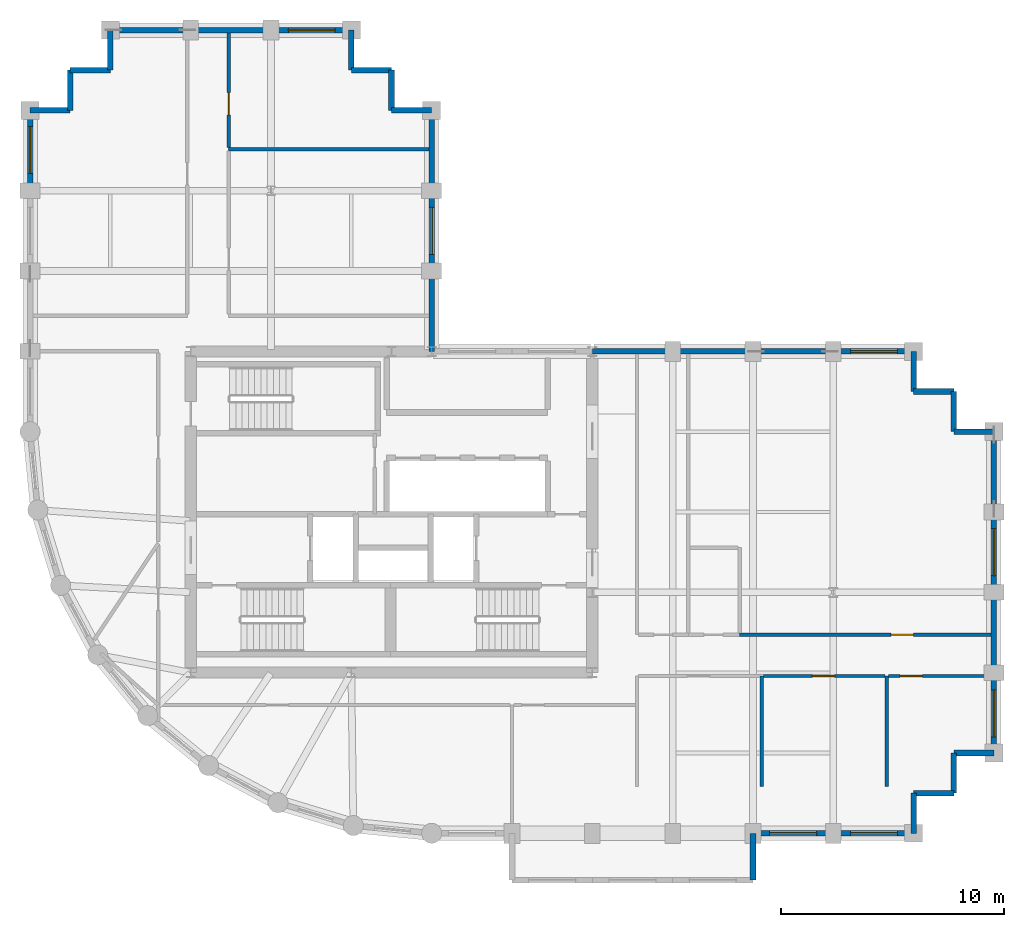
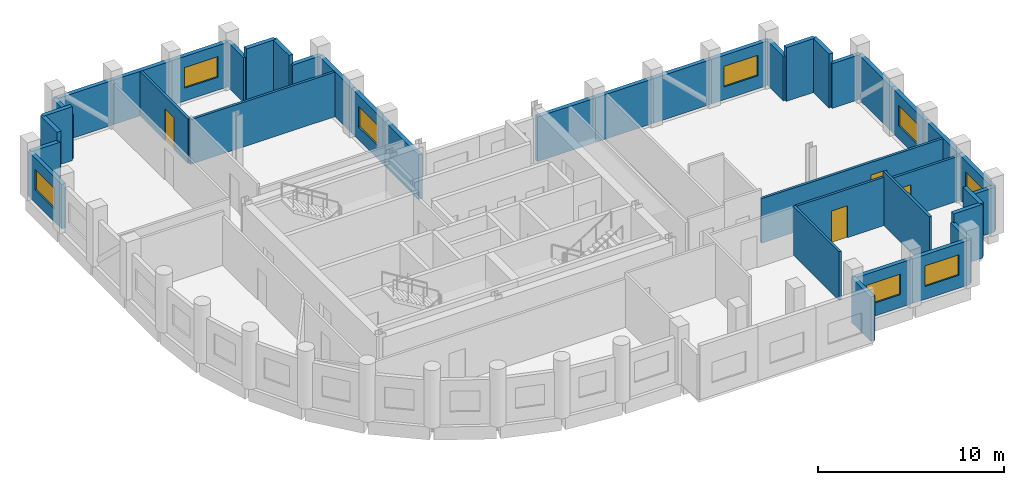
# One storey, part 5 of 7: 41 walls, 8 windows, 4 doors, 12 openings.
"""IFC4 building model written with IfcOpenShell, lengths in metres."""

from ifc_helpers import new_model, si_unit, direction, frame, frame_2d, origin, place, context, subcontext, project, spatial, rectangle, extrude, material, layer, layer_set, type_object, element, fill, save


model = new_model("IFC4")

# Units and contexts
model_context = context("Model", 3, precision=1e-05, world=origin(), true_north=direction((0.0, 1.0)))
body_context = subcontext(model_context, "Body", "Model", "MODEL_VIEW")
ifc_project = project(units=[si_unit("LENGTHUNIT", "METRE"), si_unit("AREAUNIT", "SQUARE_METRE"), si_unit("VOLUMEUNIT", "CUBIC_METRE"), si_unit("PLANEANGLEUNIT", "RADIAN"), si_unit("MASSUNIT", "GRAM", prefix="KILO")], contexts=[model_context])

# Site, building, storey
site_placement = place(None, origin())
site = spatial("IfcSite", under=ifc_project, at=site_placement, CompositionType="ELEMENT")
building_placement = place(site_placement, origin())
building = spatial("IfcBuilding", under=site, at=building_placement, Name="Solnavia Interchange Tower", CompositionType="ELEMENT")
storey_placement = place(building_placement, frame((0.0, 0.0, 201.39990234375)))
storey = spatial("IfcBuildingStorey", under=building, at=storey_placement, Name="L50", CompositionType="ELEMENT", Elevation=201.39990234375)

# Wall
ifc_material_1 = material(Name="Concrete C40/50", Category="concrete")
ifc_layer_1 = layer(ifc_material_1, 0.25)
ifc_layer_set_1 = layer_set([ifc_layer_1], Name="Concrete C40/50")
wall_type_1 = type_object("IfcWallType", Name="Wall-ExtSpandrel-250", PredefinedType="STANDARD", material=ifc_layer_set_1)
wall_1_placement = place(storey_placement, frame((39.60009765625, 3.60009765625, 0.0), z_axis=(0.0, 0.0, 1.0), x_axis=(0.0, -1.0, 0.0)))
element("IfcWall", 1, at=wall_1_placement, inside=storey, type_object=wall_type_1, Name="EXW-L50-06 Exterior precast spandrel wall", PredefinedType="STANDARD", context=body_context, shape_type="SweptSolid", body=[
    extrude(rectangle(XDim=2.10009765625, YDim=0.25, at=frame_2d((1.050048828125, 0.0))), origin(), (0.0, 0.0, 1.0), 2.93017578125),
])

# Wall, opening, window
wall_2_placement = place(storey_placement, frame((43.199951171875, 3.60009765625, 0.0), z_axis=(0.0, 0.0, 1.0), x_axis=(-1.0, 0.0, 0.0)))
wall_2 = element("IfcWall", 2, at=wall_2_placement, inside=storey, type_object=wall_type_1, Name="EXW-L50-07 Exterior precast spandrel wall", PredefinedType="STANDARD", context=body_context, shape_type="SweptSolid", body=[
    extrude(rectangle(XDim=3.599853515625, YDim=0.25, at=frame_2d((1.7998046875, 0.0))), origin(), (0.0, 0.0, 1.0), 2.93017578125),
])
opening_1_placement = place(wall_2_placement, frame((0.75, 0.0, 0.85009765625)))
opening_1 = element("IfcOpeningElement", 3, at=opening_1_placement, cuts=wall_2, Name="Opening WIN-01", PredefinedType="OPENING", context=body_context, shape_type="SweptSolid", body=[
    extrude(rectangle(XDim=2.10009765625, YDim=1.35009765625, at=frame_2d((1.050048828125, 0.675048828125))), frame((0.0, 0.135009765625, 0.0), z_axis=(0.0, -1.0, 0.0), x_axis=(1.0, 0.0, 0.0)), (0.0, 0.0, 1.0), 0.27001953125),
])
ifc_material_2 = material(Name="Thermal-Break Aluminium & Low-E Glass", Category="aluminium")
window_type = type_object("IfcWindowType", Name="Window-Ribbon-2100x1350", PartitioningType="SINGLE_PANEL", PredefinedType="WINDOW", material=ifc_material_2)
window_1_placement = place(opening_1_placement, origin())
window_1 = element("IfcWindow", 4, at=window_1_placement, inside=storey, type_object=window_type, Name="WIN-L50-07 Facade ribbon window", OverallHeight=1.35009765625, OverallWidth=2.10009765625, PartitioningType="SINGLE_PANEL", PredefinedType="WINDOW", context=body_context, shape_type="SweptSolid", body=[
    extrude(rectangle(XDim=2.10009765625, YDim=1.35009765625, at=frame_2d((1.050048828125, 0.675048828125))), frame((0.0, 0.030029296875, 0.0), z_axis=(0.0, -1.0, 0.0), x_axis=(1.0, 0.0, 0.0)), (0.0, 0.0, 1.0), 0.06005859375),
])
fill(opening_1, window_1)

wall_3_placement = place(storey_placement, frame((46.800048828125, 3.60009765625, 0.0), z_axis=(0.0, 0.0, 1.0), x_axis=(-1.0, 0.0, 0.0)))
wall_3 = element("IfcWall", 5, at=wall_3_placement, inside=storey, type_object=wall_type_1, Name="EXW-L50-08 Exterior precast spandrel wall", PredefinedType="STANDARD", context=body_context, shape_type="SweptSolid", body=[
    extrude(rectangle(XDim=3.60009765625, YDim=0.25, at=frame_2d((1.800048828125, 0.0))), origin(), (0.0, 0.0, 1.0), 2.93017578125),
])
opening_2_placement = place(wall_3_placement, frame((0.72509765625, 0.0, 0.85009765625)))
opening_2 = element("IfcOpeningElement", 6, at=opening_2_placement, cuts=wall_3, Name="Opening WIN-01", PredefinedType="OPENING", context=body_context, shape_type="SweptSolid", body=[
    extrude(rectangle(XDim=2.10009765625, YDim=1.35009765625, at=frame_2d((1.050048828125, 0.675048828125))), frame((0.0, 0.135009765625, 0.0), z_axis=(0.0, -1.0, 0.0), x_axis=(1.0, 0.0, 0.0)), (0.0, 0.0, 1.0), 0.27001953125),
])
window_2_placement = place(opening_2_placement, origin())
window_2 = element("IfcWindow", 7, at=window_2_placement, inside=storey, type_object=window_type, Name="WIN-L50-08 Facade ribbon window", OverallHeight=1.35009765625, OverallWidth=2.10009765625, PartitioningType="SINGLE_PANEL", PredefinedType="WINDOW", context=body_context, shape_type="SweptSolid", body=[
    extrude(rectangle(XDim=2.10009765625, YDim=1.35009765625, at=frame_2d((1.050048828125, 0.675048828125))), frame((0.0, 0.030029296875, 0.0), z_axis=(0.0, -1.0, 0.0), x_axis=(1.0, 0.0, 0.0)), (0.0, 0.0, 1.0), 0.06005859375),
])
fill(opening_2, window_2)

# Walls
wall_4_placement = place(storey_placement, frame((46.800048828125, 5.39990234375, 0.0), z_axis=(0.0, 0.0, 1.0), x_axis=(0.0, -1.0, 0.0)))
element("IfcWall", 8, at=wall_4_placement, inside=storey, type_object=wall_type_1, Name="EXW-L50-09 Exterior precast spandrel wall", PredefinedType="STANDARD", context=body_context, shape_type="SweptSolid", body=[
    extrude(rectangle(XDim=1.7998046875, YDim=0.25, at=frame_2d((0.89990234375, 0.0))), origin(), (0.0, 0.0, 1.0), 2.93017578125),
])
for number, where, z_axis, x_axis, name in (
    (9, (48.60009765625, 5.39990234375, 0.0), (0.0, 0.0, 1.0), (-1.0, 0.0, 0.0), "EXW-L50-10 Exterior precast spandrel wall"),
    (10, (48.60009765625, 7.199951171875, 0.0), (0.0, 0.0, 1.0), (0.0, -1.0, 0.0), "EXW-L50-11 Exterior precast spandrel wall"),
):
    element("IfcWall", number, at=place(storey_placement, frame(where, z_axis=z_axis, x_axis=x_axis)), inside=storey, type_object=wall_type_1, Name=name, PredefinedType="STANDARD", context=body_context, shape_type="SweptSolid", body=[
        extrude(rectangle(XDim=1.800048828125, YDim=0.25, at=frame_2d((0.89990234375, 0.0))), origin(), (0.0, 0.0, 1.0), 3.53515625),
    ])
wall_5_placement = place(storey_placement, frame((50.39990234375, 7.199951171875, 0.0), z_axis=(0.0, 0.0, 1.0), x_axis=(-1.0, 0.0, 0.0)))
element("IfcWall", 11, at=wall_5_placement, inside=storey, type_object=wall_type_1, Name="EXW-L50-12 Exterior precast spandrel wall", PredefinedType="STANDARD", context=body_context, shape_type="SweptSolid", body=[
    extrude(rectangle(XDim=1.7998046875, YDim=0.25, at=frame_2d((0.89990234375, 0.0))), origin(), (0.0, 0.0, 1.0), 2.93017578125),
])

# Wall, opening, window
wall_6_placement = place(storey_placement, frame((50.39990234375, 10.800048828125, 0.0), z_axis=(0.0, 0.0, 1.0), x_axis=(0.0, -1.0, 0.0)))
wall_6 = element("IfcWall", 12, at=wall_6_placement, inside=storey, type_object=wall_type_1, Name="EXW-L50-13 Exterior precast spandrel wall", PredefinedType="STANDARD", context=body_context, shape_type="SweptSolid", body=[
    extrude(rectangle(XDim=3.60009765625, YDim=0.25, at=frame_2d((1.800048828125, 0.0))), origin(), (0.0, 0.0, 1.0), 2.93017578125),
])
opening_3_placement = place(wall_6_placement, frame((0.77490234375, 0.0, 0.85009765625)))
opening_3 = element("IfcOpeningElement", 13, at=opening_3_placement, cuts=wall_6, Name="Opening WIN-01", PredefinedType="OPENING", context=body_context, shape_type="SweptSolid", body=[
    extrude(rectangle(XDim=2.10009765625, YDim=1.35009765625, at=frame_2d((1.050048828125, 0.675048828125))), frame((0.0, 0.135009765625, 0.0), z_axis=(0.0, -1.0, 0.0), x_axis=(1.0, 0.0, 0.0)), (0.0, 0.0, 1.0), 0.27001953125),
])
window_3_placement = place(opening_3_placement, origin())
window_3 = element("IfcWindow", 14, at=window_3_placement, inside=storey, type_object=window_type, Name="WIN-L50-13 Facade ribbon window", OverallHeight=1.35009765625, OverallWidth=2.10009765625, PartitioningType="SINGLE_PANEL", PredefinedType="WINDOW", context=body_context, shape_type="SweptSolid", body=[
    extrude(rectangle(XDim=2.10009765625, YDim=1.35009765625, at=frame_2d((1.050048828125, 0.675048828125))), frame((0.0, 0.030029296875, 0.0), z_axis=(0.0, -1.0, 0.0), x_axis=(1.0, 0.0, 0.0)), (0.0, 0.0, 1.0), 0.06005859375),
])
fill(opening_3, window_3)

# Wall
wall_7_placement = place(storey_placement, frame((50.39990234375, 14.39990234375, 0.0), z_axis=(0.0, 0.0, 1.0), x_axis=(0.0, -1.0, 0.0)))
element("IfcWall", 15, at=wall_7_placement, inside=storey, type_object=wall_type_1, Name="EXW-L50-14 Exterior precast spandrel wall", PredefinedType="STANDARD", context=body_context, shape_type="SweptSolid", body=[
    extrude(rectangle(XDim=3.599853515625, YDim=0.25, at=frame_2d((1.7998046875, 0.0))), origin(), (0.0, 0.0, 1.0), 2.93017578125),
])

# Wall, opening, window
wall_8_placement = place(storey_placement, frame((50.39990234375, 18.0, 0.0), z_axis=(0.0, 0.0, 1.0), x_axis=(0.0, -1.0, 0.0)))
wall_8 = element("IfcWall", 16, at=wall_8_placement, inside=storey, type_object=wall_type_1, Name="EXW-L50-15 Exterior precast spandrel wall", PredefinedType="STANDARD", context=body_context, shape_type="SweptSolid", body=[
    extrude(rectangle(XDim=3.60009765625, YDim=0.25, at=frame_2d((1.800048828125, 0.0))), origin(), (0.0, 0.0, 1.0), 2.93017578125),
])
opening_4_placement = place(wall_8_placement, frame((0.75, 0.0, 0.85009765625)))
opening_4 = element("IfcOpeningElement", 17, at=opening_4_placement, cuts=wall_8, Name="Opening WIN-01", PredefinedType="OPENING", context=body_context, shape_type="SweptSolid", body=[
    extrude(rectangle(XDim=2.10009765625, YDim=1.35009765625, at=frame_2d((1.050048828125, 0.675048828125))), frame((0.0, 0.135009765625, 0.0), z_axis=(0.0, -1.0, 0.0), x_axis=(1.0, 0.0, 0.0)), (0.0, 0.0, 1.0), 0.27001953125),
])
window_4_placement = place(opening_4_placement, origin())
window_4 = element("IfcWindow", 18, at=window_4_placement, inside=storey, type_object=window_type, Name="WIN-L50-15 Facade ribbon window", OverallHeight=1.35009765625, OverallWidth=2.10009765625, PartitioningType="SINGLE_PANEL", PredefinedType="WINDOW", context=body_context, shape_type="SweptSolid", body=[
    extrude(rectangle(XDim=2.10009765625, YDim=1.35009765625, at=frame_2d((1.050048828125, 0.675048828125))), frame((0.0, 0.030029296875, 0.0), z_axis=(0.0, -1.0, 0.0), x_axis=(1.0, 0.0, 0.0)), (0.0, 0.0, 1.0), 0.06005859375),
])
fill(opening_4, window_4)

# Walls
wall_9_placement = place(storey_placement, frame((50.39990234375, 21.60009765625, 0.0), z_axis=(0.0, 0.0, 1.0), x_axis=(0.0, -1.0, 0.0)))
element("IfcWall", 19, at=wall_9_placement, inside=storey, type_object=wall_type_1, Name="EXW-L50-16 Exterior precast spandrel wall", PredefinedType="STANDARD", context=body_context, shape_type="SweptSolid", body=[
    extrude(rectangle(XDim=3.60009765625, YDim=0.25, at=frame_2d((1.800048828125, 0.0))), origin(), (0.0, 0.0, 1.0), 2.93017578125),
])
wall_10_placement = place(storey_placement, frame((48.60009765625, 21.60009765625, 0.0), z_axis=(0.0, 0.0, 1.0), x_axis=(1.0, 0.0, 0.0)))
element("IfcWall", 20, at=wall_10_placement, inside=storey, type_object=wall_type_1, Name="EXW-L50-17 Exterior precast spandrel wall", PredefinedType="STANDARD", context=body_context, shape_type="SweptSolid", body=[
    extrude(rectangle(XDim=1.7998046875, YDim=0.25, at=frame_2d((0.89990234375, 0.0))), origin(), (0.0, 0.0, 1.0), 2.93017578125),
])
wall_11_placement = place(storey_placement, frame((48.60009765625, 23.39990234375, 0.0), z_axis=(0.0, 0.0, 1.0), x_axis=(0.0, -1.0, 0.0)))
element("IfcWall", 21, at=wall_11_placement, inside=storey, type_object=wall_type_1, Name="EXW-L50-18 Exterior precast spandrel wall", PredefinedType="STANDARD", context=body_context, shape_type="SweptSolid", body=[
    extrude(rectangle(XDim=1.7998046875, YDim=0.25, at=frame_2d((0.89990234375, 0.0))), origin(), (0.0, 0.0, 1.0), 3.53515625),
])
wall_12_placement = place(storey_placement, frame((46.800048828125, 23.39990234375, 0.0), z_axis=(0.0, 0.0, 1.0), x_axis=(1.0, 0.0, 0.0)))
element("IfcWall", 22, at=wall_12_placement, inside=storey, type_object=wall_type_1, Name="EXW-L50-19 Exterior precast spandrel wall", PredefinedType="STANDARD", context=body_context, shape_type="SweptSolid", body=[
    extrude(rectangle(XDim=1.800048828125, YDim=0.25, at=frame_2d((0.89990234375, 0.0))), origin(), (0.0, 0.0, 1.0), 3.53515625),
])
wall_13_placement = place(storey_placement, frame((46.800048828125, 25.199951171875, 0.0), z_axis=(0.0, 0.0, 1.0), x_axis=(0.0, -1.0, 0.0)))
element("IfcWall", 23, at=wall_13_placement, inside=storey, type_object=wall_type_1, Name="EXW-L50-20 Exterior precast spandrel wall", PredefinedType="STANDARD", context=body_context, shape_type="SweptSolid", body=[
    extrude(rectangle(XDim=1.800048828125, YDim=0.25, at=frame_2d((0.89990234375, 0.0))), origin(), (0.0, 0.0, 1.0), 2.93017578125),
])

# Wall, opening, window
wall_14_placement = place(storey_placement, frame((43.199951171875, 25.199951171875, 0.0), z_axis=(0.0, 0.0, 1.0), x_axis=(1.0, 0.0, 0.0)))
wall_14 = element("IfcWall", 24, at=wall_14_placement, inside=storey, type_object=wall_type_1, Name="EXW-L50-21 Exterior precast spandrel wall", PredefinedType="STANDARD", context=body_context, shape_type="SweptSolid", body=[
    extrude(rectangle(XDim=3.60009765625, YDim=0.25, at=frame_2d((1.800048828125, 0.0))), origin(), (0.0, 0.0, 1.0), 2.93017578125),
])
opening_5_placement = place(wall_14_placement, frame((0.77490234375, 0.0, 0.85009765625)))
opening_5 = element("IfcOpeningElement", 25, at=opening_5_placement, cuts=wall_14, Name="Opening WIN-01", PredefinedType="OPENING", context=body_context, shape_type="SweptSolid", body=[
    extrude(rectangle(XDim=2.10009765625, YDim=1.35009765625, at=frame_2d((1.050048828125, 0.675048828125))), frame((0.0, 0.135009765625, 0.0), z_axis=(0.0, -1.0, 0.0), x_axis=(1.0, 0.0, 0.0)), (0.0, 0.0, 1.0), 0.27001953125),
])
window_5_placement = place(opening_5_placement, origin())
window_5 = element("IfcWindow", 26, at=window_5_placement, inside=storey, type_object=window_type, Name="WIN-L50-21 Facade ribbon window", OverallHeight=1.35009765625, OverallWidth=2.10009765625, PartitioningType="SINGLE_PANEL", PredefinedType="WINDOW", context=body_context, shape_type="SweptSolid", body=[
    extrude(rectangle(XDim=2.10009765625, YDim=1.35009765625, at=frame_2d((1.050048828125, 0.675048828125))), frame((0.0, 0.030029296875, 0.0), z_axis=(0.0, -1.0, 0.0), x_axis=(1.0, 0.0, 0.0)), (0.0, 0.0, 1.0), 0.06005859375),
])
fill(opening_5, window_5)

# Walls
wall_15_placement = place(storey_placement, frame((39.60009765625, 25.199951171875, 0.0), z_axis=(0.0, 0.0, 1.0), x_axis=(1.0, 0.0, 0.0)))
element("IfcWall", 27, at=wall_15_placement, inside=storey, type_object=wall_type_1, Name="EXW-L50-22 Exterior precast spandrel wall", PredefinedType="STANDARD", context=body_context, shape_type="SweptSolid", body=[
    extrude(rectangle(XDim=3.599853515625, YDim=0.25, at=frame_2d((1.7998046875, 0.0))), origin(), (0.0, 0.0, 1.0), 2.93017578125),
])
for number, where, z_axis, x_axis, name in (
    (28, (36.0, 25.199951171875, 0.0), (0.0, 0.0, 1.0), (1.0, 0.0, 0.0), "EXW-L50-23 Exterior precast spandrel wall"),
    (29, (32.39990234375, 25.199951171875, 0.0), (0.0, 0.0, 1.0), (1.0, 0.0, 0.0), "EXW-L50-24 Exterior precast spandrel wall"),
    (30, (25.199951171875, 25.199951171875, 0.0), (0.0, 0.0, 1.0), (0.0, 1.0, 0.0), "EXW-L50-27 Exterior precast spandrel wall"),
):
    element("IfcWall", number, at=place(storey_placement, frame(where, z_axis=z_axis, x_axis=x_axis)), inside=storey, type_object=wall_type_1, Name=name, PredefinedType="STANDARD", context=body_context, shape_type="SweptSolid", body=[
        extrude(rectangle(XDim=3.60009765625, YDim=0.25, at=frame_2d((1.800048828125, 0.0))), origin(), (0.0, 0.0, 1.0), 2.93017578125),
    ])

# Wall, opening, window
wall_16_placement = place(storey_placement, frame((25.199951171875, 28.800048828125, 0.0), z_axis=(0.0, 0.0, 1.0), x_axis=(0.0, 1.0, 0.0)))
wall_16 = element("IfcWall", 31, at=wall_16_placement, inside=storey, type_object=wall_type_1, Name="EXW-L50-28 Exterior precast spandrel wall", PredefinedType="STANDARD", context=body_context, shape_type="SweptSolid", body=[
    extrude(rectangle(XDim=3.599853515625, YDim=0.25, at=frame_2d((1.7998046875, 0.0))), origin(), (0.0, 0.0, 1.0), 2.93017578125),
])
opening_6_placement = place(wall_16_placement, frame((0.75, 0.0, 0.85009765625)))
opening_6 = element("IfcOpeningElement", 32, at=opening_6_placement, cuts=wall_16, Name="Opening WIN-01", PredefinedType="OPENING", context=body_context, shape_type="SweptSolid", body=[
    extrude(rectangle(XDim=2.10009765625, YDim=1.35009765625, at=frame_2d((1.050048828125, 0.675048828125))), frame((0.0, 0.135009765625, 0.0), z_axis=(0.0, -1.0, 0.0), x_axis=(1.0, 0.0, 0.0)), (0.0, 0.0, 1.0), 0.27001953125),
])
window_6_placement = place(opening_6_placement, origin())
window_6 = element("IfcWindow", 33, at=window_6_placement, inside=storey, type_object=window_type, Name="WIN-L50-28 Facade ribbon window", OverallHeight=1.35009765625, OverallWidth=2.10009765625, PartitioningType="SINGLE_PANEL", PredefinedType="WINDOW", context=body_context, shape_type="SweptSolid", body=[
    extrude(rectangle(XDim=2.10009765625, YDim=1.35009765625, at=frame_2d((1.050048828125, 0.675048828125))), frame((0.0, 0.030029296875, 0.0), z_axis=(0.0, -1.0, 0.0), x_axis=(1.0, 0.0, 0.0)), (0.0, 0.0, 1.0), 0.06005859375),
])
fill(opening_6, window_6)

# Walls
wall_17_placement = place(storey_placement, frame((25.199951171875, 32.39990234375, 0.0), z_axis=(0.0, 0.0, 1.0), x_axis=(0.0, 1.0, 0.0)))
element("IfcWall", 34, at=wall_17_placement, inside=storey, type_object=wall_type_1, Name="EXW-L50-29 Exterior precast spandrel wall", PredefinedType="STANDARD", context=body_context, shape_type="SweptSolid", body=[
    extrude(rectangle(XDim=3.60009765625, YDim=0.25, at=frame_2d((1.800048828125, 0.0))), origin(), (0.0, 0.0, 1.0), 2.93017578125),
])
wall_18_placement = place(storey_placement, frame((23.39990234375, 36.0, 0.0), z_axis=(0.0, 0.0, 1.0), x_axis=(1.0, 0.0, 0.0)))
element("IfcWall", 35, at=wall_18_placement, inside=storey, type_object=wall_type_1, Name="EXW-L50-30 Exterior precast spandrel wall", PredefinedType="STANDARD", context=body_context, shape_type="SweptSolid", body=[
    extrude(rectangle(XDim=1.800048828125, YDim=0.25, at=frame_2d((0.89990234375, 0.0))), origin(), (0.0, 0.0, 1.0), 2.93017578125),
])
wall_19_placement = place(storey_placement, frame((23.39990234375, 36.0, 0.0), z_axis=(0.0, 0.0, 1.0), x_axis=(0.0, 1.0, 0.0)))
element("IfcWall", 36, at=wall_19_placement, inside=storey, type_object=wall_type_1, Name="EXW-L50-31 Exterior precast spandrel wall", PredefinedType="STANDARD", context=body_context, shape_type="SweptSolid", body=[
    extrude(rectangle(XDim=1.800048828125, YDim=0.25, at=frame_2d((0.89990234375, 0.0))), origin(), (0.0, 0.0, 1.0), 3.53515625),
])
wall_20_placement = place(storey_placement, frame((21.60009765625, 37.800048828125, 0.0), z_axis=(0.0, 0.0, 1.0), x_axis=(1.0, 0.0, 0.0)))
element("IfcWall", 37, at=wall_20_placement, inside=storey, type_object=wall_type_1, Name="EXW-L50-32 Exterior precast spandrel wall", PredefinedType="STANDARD", context=body_context, shape_type="SweptSolid", body=[
    extrude(rectangle(XDim=1.7998046875, YDim=0.25, at=frame_2d((0.89990234375, 0.0))), origin(), (0.0, 0.0, 1.0), 3.53515625),
])
wall_21_placement = place(storey_placement, frame((21.60009765625, 37.800048828125, 0.0), z_axis=(0.0, 0.0, 1.0), x_axis=(0.0, 1.0, 0.0)))
element("IfcWall", 38, at=wall_21_placement, inside=storey, type_object=wall_type_1, Name="EXW-L50-33 Exterior precast spandrel wall", PredefinedType="STANDARD", context=body_context, shape_type="SweptSolid", body=[
    extrude(rectangle(XDim=1.800048828125, YDim=0.25, at=frame_2d((0.89990234375, 0.0))), origin(), (0.0, 0.0, 1.0), 2.93017578125),
])

# Wall, opening, window
wall_22_placement = place(storey_placement, frame((18.0, 39.60009765625, 0.0), z_axis=(0.0, 0.0, 1.0), x_axis=(1.0, 0.0, 0.0)))
wall_22 = element("IfcWall", 39, at=wall_22_placement, inside=storey, type_object=wall_type_1, Name="EXW-L50-34 Exterior precast spandrel wall", PredefinedType="STANDARD", context=body_context, shape_type="SweptSolid", body=[
    extrude(rectangle(XDim=3.60009765625, YDim=0.25, at=frame_2d((1.800048828125, 0.0))), origin(), (0.0, 0.0, 1.0), 2.93017578125),
])
opening_7_placement = place(wall_22_placement, frame((0.77490234375, 0.0, 0.85009765625)))
opening_7 = element("IfcOpeningElement", 40, at=opening_7_placement, cuts=wall_22, Name="Opening WIN-01", PredefinedType="OPENING", context=body_context, shape_type="SweptSolid", body=[
    extrude(rectangle(XDim=2.10009765625, YDim=1.35009765625, at=frame_2d((1.050048828125, 0.675048828125))), frame((0.0, 0.135009765625, 0.0), z_axis=(0.0, -1.0, 0.0), x_axis=(1.0, 0.0, 0.0)), (0.0, 0.0, 1.0), 0.27001953125),
])
window_7_placement = place(opening_7_placement, origin())
window_7 = element("IfcWindow", 41, at=window_7_placement, inside=storey, type_object=window_type, Name="WIN-L50-34 Facade ribbon window", OverallHeight=1.35009765625, OverallWidth=2.10009765625, PartitioningType="SINGLE_PANEL", PredefinedType="WINDOW", context=body_context, shape_type="SweptSolid", body=[
    extrude(rectangle(XDim=2.10009765625, YDim=1.35009765625, at=frame_2d((1.050048828125, 0.675048828125))), frame((0.0, 0.030029296875, 0.0), z_axis=(0.0, -1.0, 0.0), x_axis=(1.0, 0.0, 0.0)), (0.0, 0.0, 1.0), 0.06005859375),
])
fill(opening_7, window_7)

# Walls
wall_23_placement = place(storey_placement, frame((14.39990234375, 39.60009765625, 0.0), z_axis=(0.0, 0.0, 1.0), x_axis=(1.0, 0.0, 0.0)))
element("IfcWall", 42, at=wall_23_placement, inside=storey, type_object=wall_type_1, Name="EXW-L50-35 Exterior precast spandrel wall", PredefinedType="STANDARD", context=body_context, shape_type="SweptSolid", body=[
    extrude(rectangle(XDim=3.60009765625, YDim=0.25, at=frame_2d((1.800048828125, 0.0))), origin(), (0.0, 0.0, 1.0), 2.93017578125),
])
wall_24_placement = place(storey_placement, frame((10.800048828125, 39.60009765625, 0.0), z_axis=(0.0, 0.0, 1.0), x_axis=(1.0, 0.0, 0.0)))
element("IfcWall", 43, at=wall_24_placement, inside=storey, type_object=wall_type_1, Name="EXW-L50-36 Exterior precast spandrel wall", PredefinedType="STANDARD", context=body_context, shape_type="SweptSolid", body=[
    extrude(rectangle(XDim=3.599853515625, YDim=0.25, at=frame_2d((1.7998046875, 0.0))), origin(), (0.0, 0.0, 1.0), 2.93017578125),
])
wall_25_placement = place(storey_placement, frame((10.800048828125, 37.800048828125, 0.0), z_axis=(0.0, 0.0, 1.0), x_axis=(0.0, 1.0, 0.0)))
element("IfcWall", 44, at=wall_25_placement, inside=storey, type_object=wall_type_1, Name="EXW-L50-37 Exterior precast spandrel wall", PredefinedType="STANDARD", context=body_context, shape_type="SweptSolid", body=[
    extrude(rectangle(XDim=1.800048828125, YDim=0.25, at=frame_2d((0.89990234375, 0.0))), origin(), (0.0, 0.0, 1.0), 2.93017578125),
])
for number, where, z_axis, x_axis, name in (
    (45, (9.0, 37.800048828125, 0.0), (0.0, 0.0, 1.0), (1.0, 0.0, 0.0), "EXW-L50-38 Exterior precast spandrel wall"),
    (46, (9.0, 36.0, 0.0), (0.0, 0.0, 1.0), (0.0, 1.0, 0.0), "EXW-L50-39 Exterior precast spandrel wall"),
):
    element("IfcWall", number, at=place(storey_placement, frame(where, z_axis=z_axis, x_axis=x_axis)), inside=storey, type_object=wall_type_1, Name=name, PredefinedType="STANDARD", context=body_context, shape_type="SweptSolid", body=[
        extrude(rectangle(XDim=1.800048828125, YDim=0.25, at=frame_2d((0.89990234375, 0.0))), origin(), (0.0, 0.0, 1.0), 3.53515625),
    ])
wall_26_placement = place(storey_placement, frame((7.199951171875, 36.0, 0.0), z_axis=(0.0, 0.0, 1.0), x_axis=(1.0, 0.0, 0.0)))
element("IfcWall", 47, at=wall_26_placement, inside=storey, type_object=wall_type_1, Name="EXW-L50-40 Exterior precast spandrel wall", PredefinedType="STANDARD", context=body_context, shape_type="SweptSolid", body=[
    extrude(rectangle(XDim=1.800048828125, YDim=0.25, at=frame_2d((0.89990234375, 0.0))), origin(), (0.0, 0.0, 1.0), 2.93017578125),
])

# Wall, opening, window
wall_27_placement = place(storey_placement, frame((7.199951171875, 32.39990234375, 0.0), z_axis=(0.0, 0.0, 1.0), x_axis=(0.0, 1.0, 0.0)))
wall_27 = element("IfcWall", 48, at=wall_27_placement, inside=storey, type_object=wall_type_1, Name="EXW-L50-41 Exterior precast spandrel wall", PredefinedType="STANDARD", context=body_context, shape_type="SweptSolid", body=[
    extrude(rectangle(XDim=3.60009765625, YDim=0.25, at=frame_2d((1.800048828125, 0.0))), origin(), (0.0, 0.0, 1.0), 2.93017578125),
])
opening_8_placement = place(wall_27_placement, frame((0.77490234375, 0.0, 0.85009765625)))
opening_8 = element("IfcOpeningElement", 49, at=opening_8_placement, cuts=wall_27, Name="Opening WIN-01", PredefinedType="OPENING", context=body_context, shape_type="SweptSolid", body=[
    extrude(rectangle(XDim=2.10009765625, YDim=1.35009765625, at=frame_2d((1.050048828125, 0.675048828125))), frame((0.0, 0.135009765625, 0.0), z_axis=(0.0, -1.0, 0.0), x_axis=(1.0, 0.0, 0.0)), (0.0, 0.0, 1.0), 0.27001953125),
])
window_8_placement = place(opening_8_placement, origin())
window_8 = element("IfcWindow", 50, at=window_8_placement, inside=storey, type_object=window_type, Name="WIN-L50-41 Facade ribbon window", OverallHeight=1.35009765625, OverallWidth=2.10009765625, PartitioningType="SINGLE_PANEL", PredefinedType="WINDOW", context=body_context, shape_type="SweptSolid", body=[
    extrude(rectangle(XDim=2.10009765625, YDim=1.35009765625, at=frame_2d((1.050048828125, 0.675048828125))), frame((0.0, 0.030029296875, 0.0), z_axis=(0.0, -1.0, 0.0), x_axis=(1.0, 0.0, 0.0)), (0.0, 0.0, 1.0), 0.06005859375),
])
fill(opening_8, window_8)

# Walls
ifc_material_3 = material(Name="Gypsum Plasterboard & Steel Stud", Category="steel")
ifc_layer_2 = layer(ifc_material_3, 0.14990234375)
ifc_layer_set_2 = layer_set([ifc_layer_2], Name="Gypsum Plasterboard & Steel Stud")
wall_type_2 = type_object("IfcWallType", Name="Wall-Partition-150", PredefinedType="PARTITIONING", material=ifc_layer_set_2)
wall_28_placement = place(storey_placement, frame((40.0, 5.699951171875, 0.0), z_axis=(0.0, 0.0, 1.0), x_axis=(0.0, 1.0, 0.0)))
element("IfcWall", 51, at=wall_28_placement, inside=storey, type_object=wall_type_2, Name="PTW-L50-16 Interior partition wall", PredefinedType="PARTITIONING", context=body_context, shape_type="SweptSolid", body=[
    extrude(rectangle(XDim=4.949951171875, YDim=0.14990234375, at=frame_2d((2.47509765625, 0.0))), origin(), (0.0, 0.0, 1.0), 3.2001953125),
])
wall_29_placement = place(storey_placement, frame((45.60009765625, 5.699951171875, 0.0), z_axis=(0.0, 0.0, 1.0), x_axis=(0.0, 1.0, 0.0)))
element("IfcWall", 52, at=wall_29_placement, inside=storey, type_object=wall_type_2, Name="PTW-L50-18 Interior partition wall", PredefinedType="PARTITIONING", context=body_context, shape_type="SweptSolid", body=[
    extrude(rectangle(XDim=4.949951171875, YDim=0.14990234375, at=frame_2d((2.47509765625, 0.0))), origin(), (0.0, 0.0, 1.0), 3.53515625),
])

# Wall, opening, door
wall_30_placement = place(storey_placement, frame((40.0791015625, 10.64990234375, 0.0), z_axis=(0.0, 0.0, 1.0), x_axis=(1.0, 0.0, 0.0)))
wall_30 = element("IfcWall", 53, at=wall_30_placement, inside=storey, type_object=wall_type_2, Name="PTW-L50-19 Interior partition wall", PredefinedType="PARTITIONING", context=body_context, shape_type="SweptSolid", body=[
    extrude(rectangle(XDim=5.44189453125, YDim=0.14990234375, at=frame_2d((2.720947265625, 0.0))), origin(), (0.0, 0.0, 1.0), 3.170166015625),
])
opening_9_placement = place(wall_30_placement, frame((2.180908203125, 0.0, 0.0)))
opening_9 = element("IfcOpeningElement", 54, at=opening_9_placement, cuts=wall_30, Name="Opening DR-07", PredefinedType="OPENING", context=body_context, shape_type="SweptSolid", body=[
    extrude(rectangle(XDim=1.0, YDim=2.10009765625, at=frame_2d((0.5, 1.050048828125))), frame((0.0, 0.0849609375, 0.0), z_axis=(0.0, -1.0, 0.0), x_axis=(1.0, 0.0, 0.0)), (0.0, 0.0, 1.0), 0.169921875),
])
ifc_material_4 = material(Name="Timber & Acoustic Glazed Office Door", Category="wood")
door_type = type_object("IfcDoorType", Name="Door-Office-1000x2100", OperationType="SINGLE_SWING_RIGHT", PredefinedType="DOOR", material=ifc_material_4)
door_1_placement = place(opening_9_placement, origin())
door_1 = element("IfcDoor", 55, at=door_1_placement, inside=storey, type_object=door_type, Name="DR-L50-08 Interior room door", OperationType="SINGLE_SWING_RIGHT", OverallHeight=2.10009765625, OverallWidth=1.0, PredefinedType="DOOR", context=body_context, shape_type="SweptSolid", body=[
    extrude(rectangle(XDim=1.0, YDim=2.10009765625, at=frame_2d((0.5, 1.050048828125))), frame((0.0, 0.02490234375, 0.0), z_axis=(0.0, -1.0, 0.0), x_axis=(1.0, 0.0, 0.0)), (0.0, 0.0, 1.0), 0.050048828125),
])
fill(opening_9, door_1)

wall_31_placement = place(storey_placement, frame((45.678955078125, 10.64990234375, 0.0), z_axis=(0.0, 0.0, 1.0), x_axis=(1.0, 0.0, 0.0)))
wall_31 = element("IfcWall", 56, at=wall_31_placement, inside=storey, type_object=wall_type_2, Name="PTW-L50-20 Interior partition wall", PredefinedType="PARTITIONING", context=body_context, shape_type="SweptSolid", body=[
    extrude(rectangle(XDim=4.592041015625, YDim=0.14990234375, at=frame_2d((2.2958984375, 0.0))), origin(), (0.0, 0.0, 1.0), 2.93017578125),
])
opening_10_placement = place(wall_31_placement, frame((0.51806640625, 0.0, 0.0)))
opening_10 = element("IfcOpeningElement", 57, at=opening_10_placement, cuts=wall_31, Name="Opening DR-07", PredefinedType="OPENING", context=body_context, shape_type="SweptSolid", body=[
    extrude(rectangle(XDim=1.0, YDim=2.10009765625, at=frame_2d((0.5, 1.050048828125))), frame((0.0, 0.0849609375, 0.0), z_axis=(0.0, -1.0, 0.0), x_axis=(1.0, 0.0, 0.0)), (0.0, 0.0, 1.0), 0.169921875),
])
door_2_placement = place(opening_10_placement, origin())
door_2 = element("IfcDoor", 58, at=door_2_placement, inside=storey, type_object=door_type, Name="DR-L50-09 Interior room door", OperationType="SINGLE_SWING_LEFT", OverallHeight=2.10009765625, OverallWidth=1.0, PredefinedType="DOOR", context=body_context, shape_type="SweptSolid", body=[
    extrude(rectangle(XDim=1.0, YDim=2.10009765625, at=frame_2d((0.5, 1.050048828125))), frame((0.0, 0.02490234375, 0.0), z_axis=(0.0, -1.0, 0.0), x_axis=(1.0, 0.0, 0.0)), (0.0, 0.0, 1.0), 0.050048828125),
])
fill(opening_10, door_2)

wall_32_placement = place(storey_placement, frame((39.0, 12.5, 0.0), z_axis=(0.0, 0.0, 1.0), x_axis=(1.0, 0.0, 0.0)))
wall_32 = element("IfcWall", 59, at=wall_32_placement, inside=storey, type_object=wall_type_2, Name="PTW-L50-21 Interior partition wall", PredefinedType="PARTITIONING", context=body_context, shape_type="SweptSolid", body=[
    extrude(rectangle(XDim=11.27099609375, YDim=0.14990234375, at=frame_2d((5.635498046875, 0.0))), origin(), (0.0, 0.0, 1.0), 2.93017578125),
])
opening_11_placement = place(wall_32_placement, frame((6.787109375, 0.0, 0.0)))
opening_11 = element("IfcOpeningElement", 60, at=opening_11_placement, cuts=wall_32, Name="Opening DR-07", PredefinedType="OPENING", context=body_context, shape_type="SweptSolid", body=[
    extrude(rectangle(XDim=1.0, YDim=2.10009765625, at=frame_2d((0.5, 1.050048828125))), frame((0.0, 0.0849609375, 0.0), z_axis=(0.0, -1.0, 0.0), x_axis=(1.0, 0.0, 0.0)), (0.0, 0.0, 1.0), 0.169921875),
])
door_3_placement = place(opening_11_placement, origin())
door_3 = element("IfcDoor", 61, at=door_3_placement, inside=storey, type_object=door_type, Name="DR-L50-10 Interior room door", OperationType="SINGLE_SWING_RIGHT", OverallHeight=2.10009765625, OverallWidth=1.0, PredefinedType="DOOR", context=body_context, shape_type="SweptSolid", body=[
    extrude(rectangle(XDim=1.0, YDim=2.10009765625, at=frame_2d((0.5, 1.050048828125))), frame((0.0, 0.02490234375, 0.0), z_axis=(0.0, -1.0, 0.0), x_axis=(1.0, 0.0, 0.0)), (0.0, 0.0, 1.0), 0.050048828125),
])
fill(opening_11, door_3)

# Wall
wall_33_placement = place(storey_placement, frame((16.10009765625, 34.25, 0.0), z_axis=(0.0, 0.0, 1.0), x_axis=(1.0, 0.0, 0.0)))
element("IfcWall", 62, at=wall_33_placement, inside=storey, type_object=wall_type_2, Name="PTW-L50-25 Interior partition wall", PredefinedType="PARTITIONING", context=body_context, shape_type="SweptSolid", body=[
    extrude(rectangle(XDim=8.970947265625, YDim=0.14990234375, at=frame_2d((4.4853515625, 0.0))), origin(), (0.0, 0.0, 1.0), 2.93017578125),
])

# Wall, opening, door
wall_34_placement = place(storey_placement, frame((16.10009765625, 34.3291015625, 0.0), z_axis=(0.0, 0.0, 1.0), x_axis=(0.0, 1.0, 0.0)))
wall_34 = element("IfcWall", 63, at=wall_34_placement, inside=storey, type_object=wall_type_2, Name="PTW-L50-27 Interior partition wall", PredefinedType="PARTITIONING", context=body_context, shape_type="SweptSolid", body=[
    extrude(rectangle(XDim=5.141845703125, YDim=0.14990234375, at=frame_2d((2.57080078125, 0.0))), origin(), (0.0, 0.0, 1.0), 2.93017578125),
])
opening_12_placement = place(wall_34_placement, frame((1.465087890625, 0.0, 0.0)))
opening_12 = element("IfcOpeningElement", 64, at=opening_12_placement, cuts=wall_34, Name="Opening DR-07", PredefinedType="OPENING", context=body_context, shape_type="SweptSolid", body=[
    extrude(rectangle(XDim=1.0, YDim=2.10009765625, at=frame_2d((0.5, 1.050048828125))), frame((0.0, 0.0849609375, 0.0), z_axis=(0.0, -1.0, 0.0), x_axis=(1.0, 0.0, 0.0)), (0.0, 0.0, 1.0), 0.169921875),
])
door_4_placement = place(opening_12_placement, origin())
door_4 = element("IfcDoor", 65, at=door_4_placement, inside=storey, type_object=door_type, Name="DR-L50-13 Interior room door", OperationType="SINGLE_SWING_LEFT", OverallHeight=2.10009765625, OverallWidth=1.0, PredefinedType="DOOR", context=body_context, shape_type="SweptSolid", body=[
    extrude(rectangle(XDim=1.0, YDim=2.10009765625, at=frame_2d((0.5, 1.050048828125))), frame((0.0, 0.02490234375, 0.0), z_axis=(0.0, -1.0, 0.0), x_axis=(1.0, 0.0, 0.0)), (0.0, 0.0, 1.0), 0.050048828125),
])
fill(opening_12, door_4)

save(model, "model.ifc")
